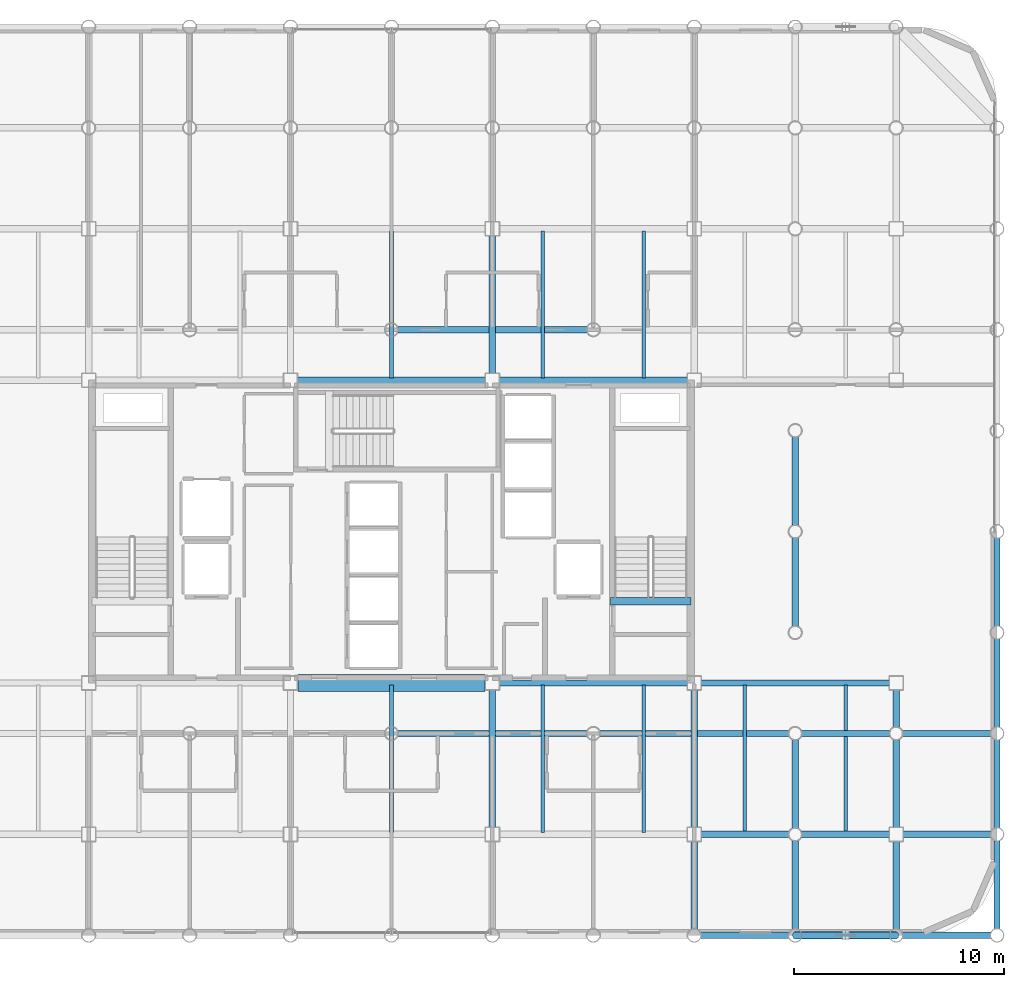
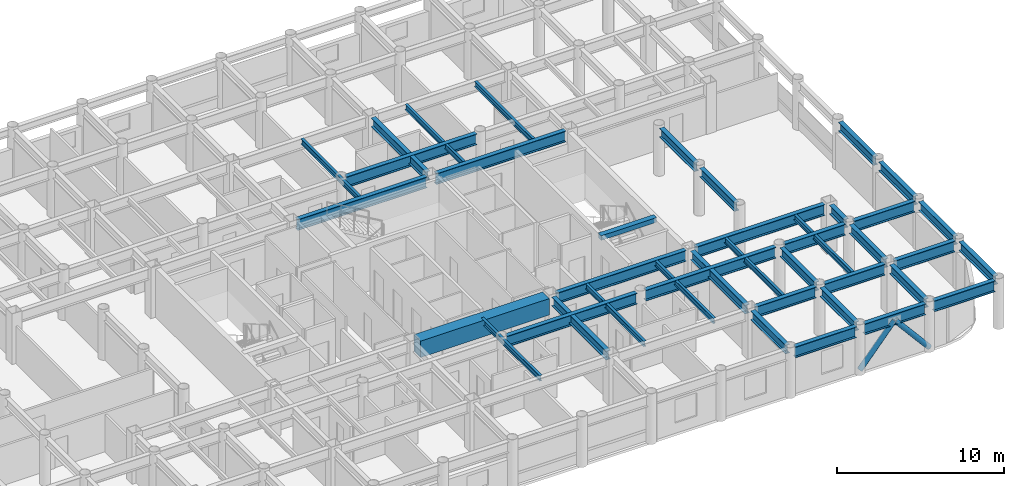
# One storey, part 7 of 20: 40 beams, 2 members.
"""IFC4 building model written with IfcOpenShell, lengths in metres."""

from ifc_helpers import new_model, si_unit, direction, frame, origin, origin_2d, place, context, subcontext, project, spatial, rectangle, hollow_circle, i_section, extrude, material, material_profile, profile_set, type_object, element, save


model = new_model("IFC4")

# Units and contexts
model_context = context("Model", 3, precision=1e-05, world=origin(), true_north=direction((0.0, 1.0)))
body_context = subcontext(model_context, "Body", "Model", "MODEL_VIEW")
ifc_project = project(units=[si_unit("LENGTHUNIT", "METRE"), si_unit("AREAUNIT", "SQUARE_METRE"), si_unit("VOLUMEUNIT", "CUBIC_METRE"), si_unit("PLANEANGLEUNIT", "RADIAN"), si_unit("MASSUNIT", "GRAM", prefix="KILO")], contexts=[model_context])

# Site, building, storey
site_placement = place(None, origin())
site = spatial("IfcSite", under=ifc_project, at=site_placement, CompositionType="ELEMENT")
building_placement = place(site_placement, origin())
building = spatial("IfcBuilding", under=site, at=building_placement, Name="Kallvorn Hotel Tower", CompositionType="ELEMENT")
storey_placement = place(building_placement, frame((0.0, 0.0, 128.5)))
storey = spatial("IfcBuildingStorey", under=building, at=storey_placement, Name="L31", CompositionType="ELEMENT", Elevation=128.5)

# Beams
ifc_material_1 = material(Name="Structural steel S355JR", Category="steel")
ifc_material_profile_1 = material_profile(ifc_material_1, i_section(OverallWidth=0.300048828125, OverallDepth=0.64990234375, WebThickness=0.01611328125, FlangeThickness=0.031005859375, at=origin_2d()), Name="HE 650 B")
ifc_profile_set_1 = profile_set([ifc_material_profile_1], Name="Structural steel S355JR")
beam_type_1 = type_object("IfcBeamType", Name="BM_HE650B", PredefinedType="BEAM", material=ifc_profile_set_1)
for number, where, z_axis, x_axis, name in (
    (1, (4.800048828125, -14.074951171875, 3.195068359375), (0.0, 1.0, 0.0), (-1.0, 0.0, 0.0), "L32 Primary Y-Girder 115"),
    (2, (4.800048828125, 7.52490234375, 3.195068359375), (0.0, 1.0, 0.0), (-1.0, 0.0, 0.0), "L32 Primary Y-Girder 116"),
):
    element("IfcBeam", number, at=place(storey_placement, frame(where, z_axis=z_axis, x_axis=x_axis)), inside=storey, type_object=beam_type_1, Name=name, PredefinedType="BEAM", context=body_context, shape_type="SweptSolid", body=[
        extrude(i_section(OverallWidth=0.300048828125, OverallDepth=0.64990234375, WebThickness=0.01611328125, FlangeThickness=0.031005859375, at=origin_2d()), origin(), (0.0, 0.0, 1.0), 6.550048828125),
    ])
beam_1_placement = place(storey_placement, frame((14.39990234375, -18.89501953125, 3.195068359375), z_axis=(0.0, 1.0, 0.0), x_axis=(-1.0, 0.0, 0.0)))
element("IfcBeam", 3, at=beam_1_placement, inside=storey, type_object=beam_type_1, Name="L32 Primary Y-Girder 122", PredefinedType="BEAM", context=body_context, shape_type="SweptSolid", body=[
    extrude(i_section(OverallWidth=0.300048828125, OverallDepth=0.64990234375, WebThickness=0.01611328125, FlangeThickness=0.031005859375, at=origin_2d()), origin(), (0.0, 0.0, 1.0), 4.169921875),
])
beam_2_placement = place(storey_placement, frame((14.39990234375, -14.074951171875, 3.195068359375), z_axis=(0.0, 1.0, 0.0), x_axis=(-1.0, 0.0, 0.0)))
element("IfcBeam", 4, at=beam_2_placement, inside=storey, type_object=beam_type_1, Name="L32 Primary Y-Girder 123", PredefinedType="BEAM", context=body_context, shape_type="SweptSolid", body=[
    extrude(i_section(OverallWidth=0.300048828125, OverallDepth=0.64990234375, WebThickness=0.01611328125, FlangeThickness=0.031005859375, at=origin_2d()), origin(), (0.0, 0.0, 1.0), 6.550048828125),
])
for number, where, z_axis, x_axis, name in (
    (5, (19.199951171875, -18.89501953125, 3.195068359375), (0.0, 1.0, 0.0), (-1.0, 0.0, 0.0), "L32 Primary Y-Girder 127"),
    (6, (19.199951171875, -14.094970703125, 3.195068359375), (0.0, 1.0, 0.0), (-1.0, 0.0, 0.0), "L32 Primary Y-Girder 128"),
):
    element("IfcBeam", number, at=place(storey_placement, frame(where, z_axis=z_axis, x_axis=x_axis)), inside=storey, type_object=beam_type_1, Name=name, PredefinedType="BEAM", context=body_context, shape_type="SweptSolid", body=[
        extrude(i_section(OverallWidth=0.300048828125, OverallDepth=0.64990234375, WebThickness=0.01611328125, FlangeThickness=0.031005859375, at=origin_2d()), origin(), (0.0, 0.0, 1.0), 4.18994140625),
    ])
for number, where, z_axis, x_axis, name in (
    (7, (19.199951171875, -4.4951171875, 3.195068359375), (0.0, 1.0, 0.0), (-1.0, 0.0, 0.0), "L32 Primary Y-Girder 130"),
    (8, (19.199951171875, 0.304931640625, 3.195068359375), (0.0, 1.0, 0.0), (-1.0, 0.0, 0.0), "L32 Primary Y-Girder 131"),
):
    element("IfcBeam", number, at=place(storey_placement, frame(where, z_axis=z_axis, x_axis=x_axis)), inside=storey, type_object=beam_type_1, Name=name, PredefinedType="BEAM", context=body_context, shape_type="SweptSolid", body=[
        extrude(i_section(OverallWidth=0.300048828125, OverallDepth=0.64990234375, WebThickness=0.01611328125, FlangeThickness=0.031005859375, at=origin_2d()), origin(), (0.0, 0.0, 1.0), 4.190185546875),
    ])
for number, where, z_axis, x_axis, name in (
    (9, (24.0, -18.89501953125, 3.195068359375), (0.0, 1.0, 0.0), (-1.0, 0.0, 0.0), "L32 Primary Y-Girder 136"),
    (10, (24.0, -14.074951171875, 3.195068359375), (0.0, 1.0, 0.0), (-1.0, 0.0, 0.0), "L32 Primary Y-Girder 137"),
):
    element("IfcBeam", number, at=place(storey_placement, frame(where, z_axis=z_axis, x_axis=x_axis)), inside=storey, type_object=beam_type_1, Name=name, PredefinedType="BEAM", context=body_context, shape_type="SweptSolid", body=[
        extrude(i_section(OverallWidth=0.300048828125, OverallDepth=0.64990234375, WebThickness=0.01611328125, FlangeThickness=0.031005859375, at=origin_2d()), origin(), (0.0, 0.0, 1.0), 4.169921875),
    ])
beam_3_placement = place(storey_placement, frame((24.0, -9.294921875, 3.195068359375), z_axis=(0.0, 1.0, 0.0), x_axis=(-1.0, 0.0, 0.0)))
element("IfcBeam", 11, at=beam_3_placement, inside=storey, type_object=beam_type_1, Name="L32 Primary Y-Girder 138", PredefinedType="BEAM", context=body_context, shape_type="SweptSolid", body=[
    extrude(i_section(OverallWidth=0.300048828125, OverallDepth=0.64990234375, WebThickness=0.01611328125, FlangeThickness=0.031005859375, at=origin_2d()), origin(), (0.0, 0.0, 1.0), 1.77001953125),
])
for number, where, z_axis, x_axis, name in (
    (12, (28.800048828125, -18.89501953125, 3.195068359375), (0.0, 1.0, 0.0), (-1.0, 0.0, 0.0), "L32 Primary Y-Girder 143"),
    (13, (28.800048828125, -14.094970703125, 3.195068359375), (0.0, 1.0, 0.0), (-1.0, 0.0, 0.0), "L32 Primary Y-Girder 144"),
    (14, (28.800048828125, -9.294921875, 3.195068359375), (0.0, 1.0, 0.0), (-1.0, 0.0, 0.0), "L32 Primary Y-Girder 145"),
):
    element("IfcBeam", number, at=place(storey_placement, frame(where, z_axis=z_axis, x_axis=x_axis)), inside=storey, type_object=beam_type_1, Name=name, PredefinedType="BEAM", context=body_context, shape_type="SweptSolid", body=[
        extrude(i_section(OverallWidth=0.300048828125, OverallDepth=0.64990234375, WebThickness=0.01611328125, FlangeThickness=0.031005859375, at=origin_2d()), origin(), (0.0, 0.0, 1.0), 4.18994140625),
    ])
beam_4_placement = place(storey_placement, frame((28.800048828125, -4.4951171875, 3.195068359375), z_axis=(0.0, 1.0, 0.0), x_axis=(-1.0, 0.0, 0.0)))
element("IfcBeam", 15, at=beam_4_placement, inside=storey, type_object=beam_type_1, Name="L32 Primary Y-Girder 146", PredefinedType="BEAM", context=body_context, shape_type="SweptSolid", body=[
    extrude(i_section(OverallWidth=0.300048828125, OverallDepth=0.64990234375, WebThickness=0.01611328125, FlangeThickness=0.031005859375, at=origin_2d()), origin(), (0.0, 0.0, 1.0), 4.190185546875),
])
ifc_material_2 = material(Name="Structural steel S355JR", Category="steel")
ifc_material_profile_2 = material_profile(ifc_material_2, i_section(OverallWidth=0.300048828125, OverallDepth=0.800048828125, WebThickness=0.017578125, FlangeThickness=0.032958984375, at=origin_2d()), Name="HE 800 B")
ifc_profile_set_2 = profile_set([ifc_material_profile_2], Name="Structural steel S355JR")
beam_type_2 = type_object("IfcBeamType", Name="BM_HE800B", PredefinedType="BEAM", material=ifc_profile_set_2)
beam_5_placement = place(storey_placement, frame((14.705078125, -19.199951171875, 3.1201171875), z_axis=(1.0, 0.0, 0.0), x_axis=(0.0, 1.0, 0.0)))
element("IfcBeam", 16, at=beam_5_placement, inside=storey, type_object=beam_type_2, Name="L32 Primary X-Girder 10", PredefinedType="BEAM", context=body_context, shape_type="SweptSolid", body=[
    extrude(i_section(OverallWidth=0.300048828125, OverallDepth=0.800048828125, WebThickness=0.017578125, FlangeThickness=0.032958984375, at=origin_2d()), origin(), (0.0, 0.0, 1.0), 4.18994140625),
])
for number, where, z_axis, x_axis, name in (
    (17, (19.5048828125, -19.199951171875, 3.1201171875), (1.0, 0.0, 0.0), (0.0, 1.0, 0.0), "L32 Primary X-Girder 11"),
    (18, (24.304931640625, -19.199951171875, 3.1201171875), (1.0, 0.0, 0.0), (0.0, 1.0, 0.0), "L32 Primary X-Girder 12"),
):
    element("IfcBeam", number, at=place(storey_placement, frame(where, z_axis=z_axis, x_axis=x_axis)), inside=storey, type_object=beam_type_2, Name=name, PredefinedType="BEAM", context=body_context, shape_type="SweptSolid", body=[
        extrude(i_section(OverallWidth=0.300048828125, OverallDepth=0.800048828125, WebThickness=0.017578125, FlangeThickness=0.032958984375, at=origin_2d()), origin(), (0.0, 0.0, 1.0), 4.190185546875),
    ])
beam_6_placement = place(storey_placement, frame((14.72509765625, -14.39990234375, 3.1201171875), z_axis=(1.0, 0.0, 0.0), x_axis=(0.0, 1.0, 0.0)))
element("IfcBeam", 19, at=beam_6_placement, inside=storey, type_object=beam_type_2, Name="L32 Primary X-Girder 20", PredefinedType="BEAM", context=body_context, shape_type="SweptSolid", body=[
    extrude(i_section(OverallWidth=0.300048828125, OverallDepth=0.800048828125, WebThickness=0.017578125, FlangeThickness=0.032958984375, at=origin_2d()), origin(), (0.0, 0.0, 1.0), 4.169921875),
])
for number, where, z_axis, x_axis, name in (
    (20, (19.5048828125, -14.39990234375, 3.1201171875), (1.0, 0.0, 0.0), (0.0, 1.0, 0.0), "L32 Primary X-Girder 21"),
    (21, (24.324951171875, -14.39990234375, 3.1201171875), (1.0, 0.0, 0.0), (0.0, 1.0, 0.0), "L32 Primary X-Girder 22"),
):
    element("IfcBeam", number, at=place(storey_placement, frame(where, z_axis=z_axis, x_axis=x_axis)), inside=storey, type_object=beam_type_2, Name=name, PredefinedType="BEAM", context=body_context, shape_type="SweptSolid", body=[
        extrude(i_section(OverallWidth=0.300048828125, OverallDepth=0.800048828125, WebThickness=0.017578125, FlangeThickness=0.032958984375, at=origin_2d()), origin(), (0.0, 0.0, 1.0), 4.170166015625),
    ])
for number, where, z_axis, x_axis, name in (
    (22, (0.304931640625, -9.60009765625, 3.1201171875), (1.0, 0.0, 0.0), (0.0, 1.0, 0.0), "L32 Primary X-Girder 28"),
    (23, (9.905029296875, -9.60009765625, 3.1201171875), (1.0, 0.0, 0.0), (0.0, 1.0, 0.0), "L32 Primary X-Girder 29"),
):
    element("IfcBeam", number, at=place(storey_placement, frame(where, z_axis=z_axis, x_axis=x_axis)), inside=storey, type_object=beam_type_2, Name=name, PredefinedType="BEAM", context=body_context, shape_type="SweptSolid", body=[
        extrude(i_section(OverallWidth=0.300048828125, OverallDepth=0.800048828125, WebThickness=0.017578125, FlangeThickness=0.032958984375, at=origin_2d()), origin(), (0.0, 0.0, 1.0), 8.989990234375),
    ])
for number, where, z_axis, x_axis, name in (
    (24, (19.5048828125, -9.60009765625, 3.1201171875), (1.0, 0.0, 0.0), (0.0, 1.0, 0.0), "L32 Primary X-Girder 30"),
    (25, (24.304931640625, -9.60009765625, 3.1201171875), (1.0, 0.0, 0.0), (0.0, 1.0, 0.0), "L32 Primary X-Girder 31"),
):
    element("IfcBeam", number, at=place(storey_placement, frame(where, z_axis=z_axis, x_axis=x_axis)), inside=storey, type_object=beam_type_2, Name=name, PredefinedType="BEAM", context=body_context, shape_type="SweptSolid", body=[
        extrude(i_section(OverallWidth=0.300048828125, OverallDepth=0.800048828125, WebThickness=0.017578125, FlangeThickness=0.032958984375, at=origin_2d()), origin(), (0.0, 0.0, 1.0), 4.190185546875),
    ])
for number, where, z_axis, x_axis, name in (
    (26, (5.125, -7.199951171875, 3.1201171875), (1.0, 0.0, 0.0), (0.0, 1.0, 0.0), "L32 Primary X-Girder 34"),
    (27, (14.72509765625, -7.199951171875, 3.1201171875), (1.0, 0.0, 0.0), (0.0, 1.0, 0.0), "L32 Primary X-Girder 35"),
):
    element("IfcBeam", number, at=place(storey_placement, frame(where, z_axis=z_axis, x_axis=x_axis)), inside=storey, type_object=beam_type_2, Name=name, PredefinedType="BEAM", context=body_context, shape_type="SweptSolid", body=[
        extrude(i_section(OverallWidth=0.300048828125, OverallDepth=0.800048828125, WebThickness=0.017578125, FlangeThickness=0.032958984375, at=origin_2d()), origin(), (0.0, 0.0, 1.0), 8.949951171875),
    ])
beam_7_placement = place(storey_placement, frame((-4.47509765625, 7.199951171875, 3.1201171875), z_axis=(1.0, 0.0, 0.0), x_axis=(0.0, 1.0, 0.0)))
element("IfcBeam", 28, at=beam_7_placement, inside=storey, type_object=beam_type_2, Name="L32 Primary X-Girder 38", PredefinedType="BEAM", context=body_context, shape_type="SweptSolid", body=[
    extrude(i_section(OverallWidth=0.300048828125, OverallDepth=0.800048828125, WebThickness=0.017578125, FlangeThickness=0.032958984375, at=origin_2d()), origin(), (0.0, 0.0, 1.0), 8.9501953125),
])
beam_8_placement = place(storey_placement, frame((5.125, 7.199951171875, 3.1201171875), z_axis=(1.0, 0.0, 0.0), x_axis=(0.0, 1.0, 0.0)))
element("IfcBeam", 29, at=beam_8_placement, inside=storey, type_object=beam_type_2, Name="L32 Primary X-Girder 39", PredefinedType="BEAM", context=body_context, shape_type="SweptSolid", body=[
    extrude(i_section(OverallWidth=0.300048828125, OverallDepth=0.800048828125, WebThickness=0.017578125, FlangeThickness=0.032958984375, at=origin_2d()), origin(), (0.0, 0.0, 1.0), 8.949951171875),
])
beam_9_placement = place(storey_placement, frame((0.304931640625, 9.60009765625, 3.1201171875), z_axis=(1.0, 0.0, 0.0), x_axis=(0.0, 1.0, 0.0)))
element("IfcBeam", 30, at=beam_9_placement, inside=storey, type_object=beam_type_2, Name="L32 Primary X-Girder 46", PredefinedType="BEAM", context=body_context, shape_type="SweptSolid", body=[
    extrude(i_section(OverallWidth=0.300048828125, OverallDepth=0.800048828125, WebThickness=0.017578125, FlangeThickness=0.032958984375, at=origin_2d()), origin(), (0.0, 0.0, 1.0), 8.989990234375),
])
ifc_material_3 = material(Name="Structural steel S355JR", Category="steel")
ifc_material_profile_3 = material_profile(ifc_material_3, i_section(OverallWidth=0.179931640625, OverallDepth=0.39990234375, WebThickness=0.008544921875, FlangeThickness=0.013427734375, at=origin_2d()), Name="IPE 400")
ifc_profile_set_3 = profile_set([ifc_material_profile_3], Name="Structural steel S355JR")
beam_type_3 = type_object("IfcBeamType", Name="BM_IPE400", PredefinedType="JOIST", material=ifc_profile_set_3)
for number, where, z_axis, x_axis, name in (
    (31, (0.0, -14.300048828125, 3.320068359375), (0.0, 1.0, 0.0), (-1.0, 0.0, 0.0), "L32 Secondary Composite Joist 200"),
    (32, (0.0, 7.300048828125, 3.320068359375), (0.0, 1.0, 0.0), (-1.0, 0.0, 0.0), "L32 Secondary Composite Joist 201"),
    (33, (7.199951171875, -14.300048828125, 3.320068359375), (0.0, 1.0, 0.0), (-1.0, 0.0, 0.0), "L32 Secondary Composite Joist 202"),
    (34, (7.199951171875, 7.300048828125, 3.320068359375), (0.0, 1.0, 0.0), (-1.0, 0.0, 0.0), "L32 Secondary Composite Joist 203"),
    (35, (12.0, -14.300048828125, 3.320068359375), (0.0, 1.0, 0.0), (-1.0, 0.0, 0.0), "L32 Secondary Composite Joist 204"),
    (36, (12.0, 7.300048828125, 3.320068359375), (0.0, 1.0, 0.0), (-1.0, 0.0, 0.0), "L32 Secondary Composite Joist 205"),
    (37, (16.800048828125, -14.300048828125, 3.320068359375), (0.0, 1.0, 0.0), (-1.0, 0.0, 0.0), "L32 Secondary Composite Joist 206"),
    (38, (21.60009765625, -14.300048828125, 3.320068359375), (0.0, 1.0, 0.0), (-1.0, 0.0, 0.0), "L32 Secondary Composite Joist 208"),
):
    element("IfcBeam", number, at=place(storey_placement, frame(where, z_axis=z_axis, x_axis=x_axis)), inside=storey, type_object=beam_type_3, Name=name, PredefinedType="JOIST", context=body_context, shape_type="SweptSolid", body=[
        extrude(i_section(OverallWidth=0.179931640625, OverallDepth=0.39990234375, WebThickness=0.008544921875, FlangeThickness=0.013427734375, at=origin_2d()), origin(), (0.0, 0.0, 1.0), 7.0),
    ])
ifc_material_4 = material(Name="Concrete C50/60", Category="concrete")
ifc_material_profile_4 = material_profile(ifc_material_4, rectangle(XDim=0.360107421875, YDim=0.340087890625, at=origin_2d()), Name="RC 360x340")
ifc_profile_set_4 = profile_set([ifc_material_profile_4], Name="Concrete C50/60")
beam_type_4 = type_object("IfcBeamType", Name="BM_RC_400x360", PredefinedType="BEAM", material=ifc_profile_set_4)
beam_10_placement = place(storey_placement, frame((14.239990234375, -3.31005859375, 3.35009765625), z_axis=(-1.0, 0.0, 0.0), x_axis=(0.0, -1.0, 0.0)))
element("IfcBeam", 39, at=beam_10_placement, inside=storey, type_object=beam_type_4, Name="L32 Stair ST2 Arrival Trimmer Beam", PredefinedType="BEAM", context=body_context, shape_type="SweptSolid", body=[
    extrude(rectangle(XDim=0.360107421875, YDim=0.340087890625, at=origin_2d()), origin(), (0.0, 0.0, 1.0), 3.820068359375),
])
ifc_material_5 = material(Name="Concrete C50/60", Category="concrete")
ifc_material_profile_5 = material_profile(ifc_material_5, rectangle(XDim=0.800048828125, YDim=1.199951171875, at=origin_2d()), Name="RC 800x1200")
ifc_profile_set_5 = profile_set([ifc_material_profile_5], Name="Concrete C50/60")
beam_type_5 = type_object("IfcBeamType", Name="BM_RC_800x1200", PredefinedType="T_BEAM", material=ifc_profile_set_5)
beam_11_placement = place(storey_placement, frame((-4.449951171875, -7.199951171875, 2.919921875), z_axis=(1.0, 0.0, 0.0), x_axis=(0.0, 1.0, 0.0)))
element("IfcBeam", 40, at=beam_11_placement, inside=storey, type_object=beam_type_5, Name="L31 Core Coupling Beam South", PredefinedType="T_BEAM", context=body_context, shape_type="SweptSolid", body=[
    extrude(rectangle(XDim=0.800048828125, YDim=1.199951171875, at=origin_2d()), origin(), (0.0, 0.0, 1.0), 8.89990234375),
])

# Members
ifc_material_6 = material(Name="Structural steel S355J2H", Category="steel")
ifc_material_profile_6 = material_profile(ifc_material_6, hollow_circle(Radius=0.177734375, WallThickness=0.01416015625, at=origin_2d()), Name="CHS 355.6x14.2")
ifc_profile_set_6 = profile_set([ifc_material_profile_6], Name="Structural steel S355J2H")
member_type = type_object("IfcMemberType", Name="MBR_EXO_CHS355", PredefinedType="BRACE", material=ifc_profile_set_6)
for number, where, z_axis, x_axis, name in (
    (41, (19.212890625, -19.199951171875, 0.1953125), (0.646833296797, 0.0, 0.762631422218), (0.0, 1.0, 0.0), "L31 Exoskeleton K-Brace S2A"),
    (42, (23.987060546875, -19.199951171875, 0.1953125), (-0.646833296797, 0.0, 0.762631422218), (0.0, -1.0, 0.0), "L31 Exoskeleton K-Brace S2B"),
):
    element("IfcMember", number, at=place(storey_placement, frame(where, z_axis=z_axis, x_axis=x_axis)), inside=storey, type_object=member_type, Name=name, PredefinedType="BRACE", context=body_context, shape_type="SweptSolid", body=[
        extrude(hollow_circle(Radius=0.177734375, WallThickness=0.01416015625, at=origin_2d()), origin(), (0.0, 0.0, 1.0), 3.670654296875),
    ])

save(model, "model.ifc")
